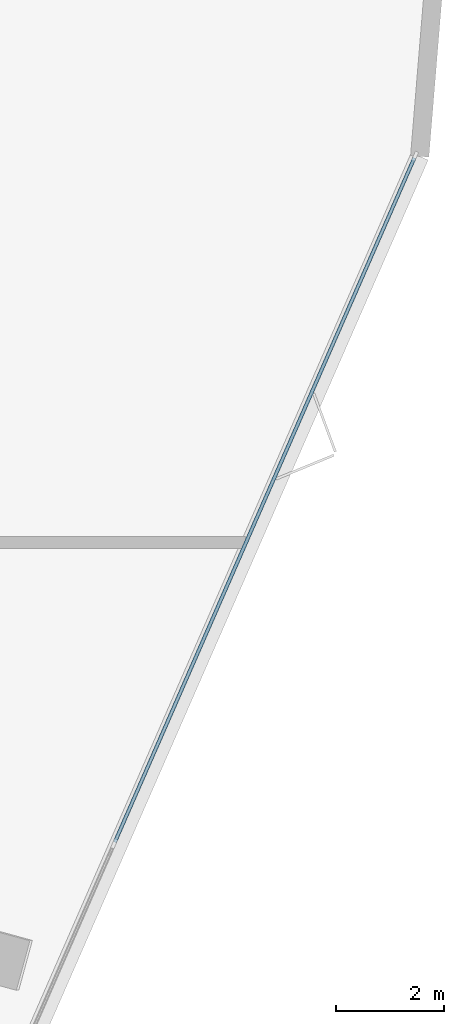
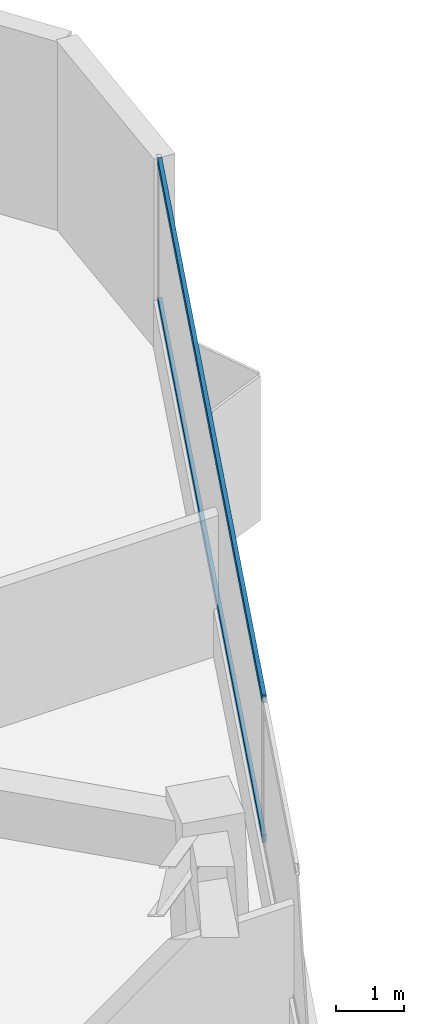
# One storey, part 11 of 20: 2 members, 1 element without a shape of its own.
"""IFC4 building model written with IfcOpenShell, lengths in metres."""

from ifc_helpers import new_model, si_unit, direction, frame, origin, origin_2d, place, context, subcontext, project, spatial, rectangle, extrude, material, layer, layer_set, material_profile, profile_set, type_object, element, aggregate, save


model = new_model("IFC4")

# Units and contexts
model_context = context("Model", 3, precision=1e-05, world=origin(), true_north=direction((0.0, 1.0)))
body_context = subcontext(model_context, "Body", "Model", "MODEL_VIEW")
ifc_project = project(units=[si_unit("LENGTHUNIT", "METRE"), si_unit("AREAUNIT", "SQUARE_METRE"), si_unit("VOLUMEUNIT", "CUBIC_METRE"), si_unit("PLANEANGLEUNIT", "RADIAN"), si_unit("MASSUNIT", "GRAM", prefix="KILO")], contexts=[model_context])

# Site, building, storey
site_placement = place(None, origin())
site = spatial("IfcSite", under=ifc_project, at=site_placement, CompositionType="ELEMENT")
building_placement = place(site_placement, origin())
building = spatial("IfcBuilding", under=site, at=building_placement, Name="Talyreon Biosciences Tower", CompositionType="ELEMENT")
storey_placement = place(building_placement, frame((0.0, 0.0, 59.300048828125)))
storey = spatial("IfcBuildingStorey", under=building, at=storey_placement, Name="L15", CompositionType="ELEMENT", Elevation=59.300048828125)

# Curtain wall, members
ifc_material_1 = material(Name="Thermally broken aluminium and low-E glazing", Category="aluminium")
ifc_layer = layer(ifc_material_1, 0.195068359375)
ifc_layer_set = layer_set([ifc_layer], Name="Thermally broken aluminium and low-E glazing")
curtain_wall_type = type_object("IfcCurtainWallType", Name="CurtainWall_Zone1WetLab", PredefinedType="NOTDEFINED", material=ifc_layer_set)
curtain_wall_placement = place(storey_placement, origin())
curtain_wall = element("IfcCurtainWall", 1, at=curtain_wall_placement, inside=storey, type_object=curtain_wall_type, Name="L15 Unitised Curtain Wall FCW-L15-08", PredefinedType="NOTDEFINED")
ifc_material_2 = material(Name="Anodised thermally broken aluminium", Category="aluminium")
ifc_material_profile = material_profile(ifc_material_2, rectangle(XDim=0.06494140625, YDim=0.139892578125, at=origin_2d()), Name="ALUM TRANSOM 65x140")
ifc_profile_set = profile_set([ifc_material_profile], Name="Anodised thermally broken aluminium")
member_type = type_object("IfcMemberType", Name="CWTransom_65x140", PredefinedType="USERDEFINED", material=ifc_profile_set)
member_1_placement = place(storey_placement, frame((98.579833984375, 84.141357421875, 0.842529296875), z_axis=(-0.400982781264, -0.916085590504, 0.0), x_axis=(0.916085590504, -0.400982781264, 0.0)))
member_1 = element("IfcMember", 2, at=member_1_placement, type_object=member_type, Name="CW2 transom 1.1", ObjectType="TRANSOM", PredefinedType="USERDEFINED", context=body_context, shape_type="SweptSolid", body=[
    extrude(rectangle(XDim=0.06494140625, YDim=0.139892578125, at=origin_2d()), origin(), (0.0, 0.0, 1.0), 13.826416015625),
])
member_2_placement = place(storey_placement, frame((98.579833984375, 84.141357421875, 3.342529296875), z_axis=(-0.400982781264, -0.916085590504, 0.0), x_axis=(0.916085590504, -0.400982781264, 0.0)))
member_2 = element("IfcMember", 3, at=member_2_placement, type_object=member_type, Name="CW2 transom 1.2", ObjectType="TRANSOM", PredefinedType="USERDEFINED", context=body_context, shape_type="SweptSolid", body=[
    extrude(rectangle(XDim=0.06494140625, YDim=0.139892578125, at=origin_2d()), origin(), (0.0, 0.0, 1.0), 13.826416015625),
])
aggregate(curtain_wall, [member_1, member_2])

save(model, "model.ifc")
